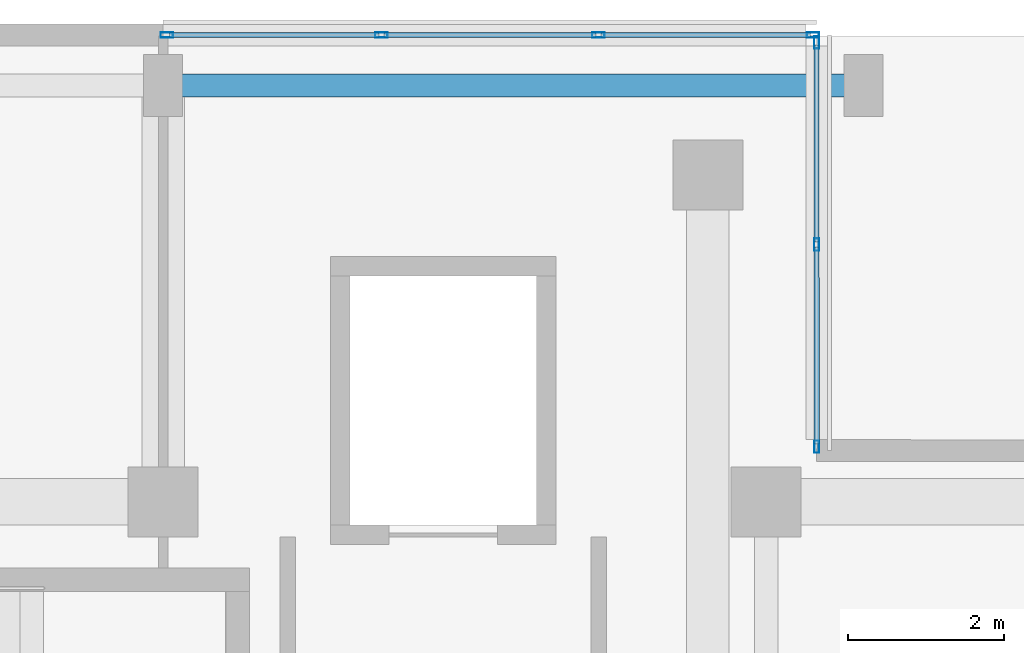
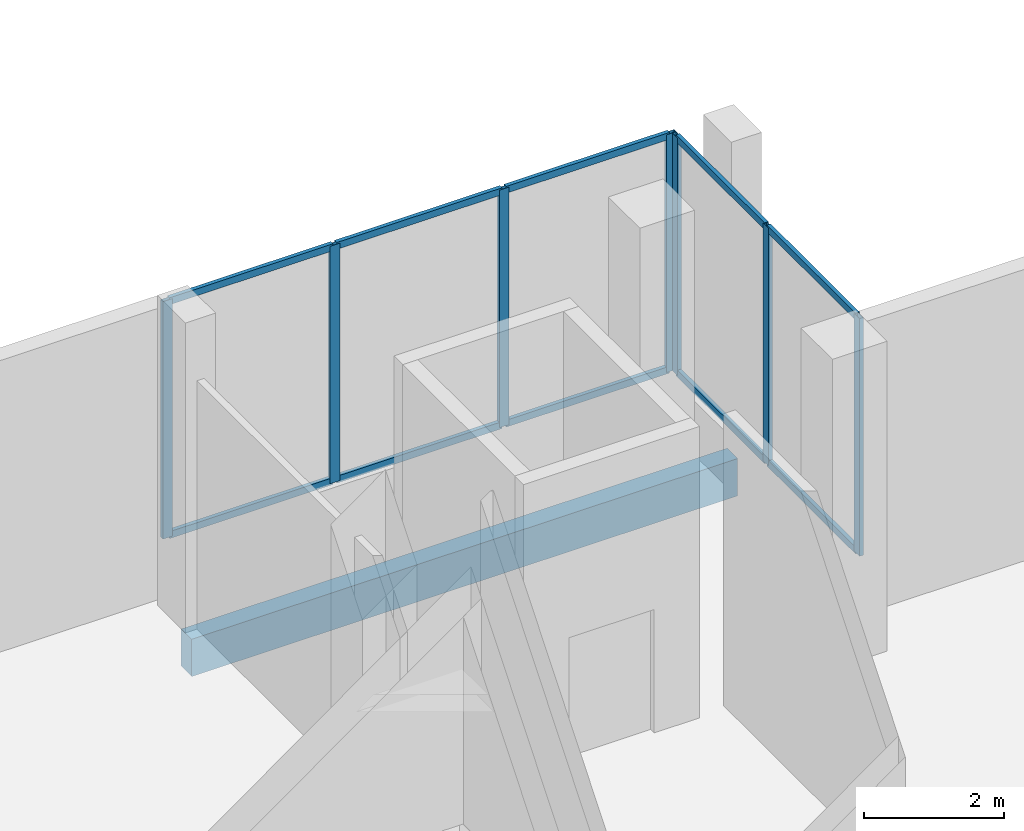
# One storey, part 114 of 158: 17 members, 1 beam, 2 elements without a shape of their own.
"""IFC4 building model written with IfcOpenShell, lengths in metres."""

from ifc_helpers import new_model, si_unit, direction, frame, origin, origin_2d, place, context, subcontext, project, spatial, rectangle, hollow_rectangle, extrude, material, material_profile, profile_set, type_object, element, aggregate, save


model = new_model("IFC4")

# Units and contexts
model_context = context("Model", 3, precision=1e-05, world=origin(), true_north=direction((0.0, 1.0)))
body_context = subcontext(model_context, "Body", "Model", "MODEL_VIEW")
ifc_project = project(units=[si_unit("LENGTHUNIT", "METRE"), si_unit("AREAUNIT", "SQUARE_METRE"), si_unit("VOLUMEUNIT", "CUBIC_METRE"), si_unit("PLANEANGLEUNIT", "RADIAN"), si_unit("MASSUNIT", "GRAM", prefix="KILO")], contexts=[model_context])

# Site, building, storey
site_placement = place(None, origin())
site = spatial("IfcSite", under=ifc_project, at=site_placement, CompositionType="ELEMENT")
building_placement = place(site_placement, origin())
building = spatial("IfcBuilding", under=site, at=building_placement, Name="Selatvlak General Hospital", CompositionType="ELEMENT")
storey_placement = place(building_placement, origin())
storey = spatial("IfcBuildingStorey", under=building, at=storey_placement, Name="L00", CompositionType="ELEMENT", Elevation=0.0)

# Beam
ifc_material_1 = material(Name="Concrete C40/50", Category="concrete")
ifc_material_profile_1 = material_profile(ifc_material_1, rectangle(XDim=0.300048828125, YDim=0.64990234375, at=origin_2d()), Name="RC-SP 300x650")
ifc_profile_set_1 = profile_set([ifc_material_profile_1], Name="Concrete C40/50")
beam_type = type_object("IfcBeamType", Name="BM-SP1", PredefinedType="SPANDREL", material=ifc_profile_set_1)
beam_placement = place(storey_placement, frame((140.39990234375, 119.35009765625, -0.675048828125), z_axis=(1.0, 0.0, 0.0), x_axis=(0.0, 1.0, 0.0)))
element("IfcBeam", 1, at=beam_placement, inside=storey, type_object=beam_type, Name="Beam BMR-L00-0157", PredefinedType="SPANDREL", context=body_context, shape_type="SweptSolid", body=[
    extrude(rectangle(XDim=0.300048828125, YDim=0.64990234375, at=origin_2d()), origin(), (0.0, 0.0, 1.0), 9.0),
])

# Curtain wall, members
ifc_material_2 = material(Name="Solar-control Low-E double glazing", Category="glass")
curtain_wall_type_1 = type_object("IfcCurtainWallType", Name="CW-CW-01", PredefinedType="USERDEFINED", material=ifc_material_2)
curtain_wall_1_placement = place(storey_placement, origin())
curtain_wall_1 = element("IfcCurtainWall", 2, at=curtain_wall_1_placement, inside=storey, type_object=curtain_wall_type_1, Name="Glazed facade curtain wall CW-L00-0010", ObjectType="UNITISED CURTAIN WALL", PredefinedType="USERDEFINED")
ifc_material_3 = material(Name="Dark anodised aluminium mullion", Category="aluminium")
ifc_material_profile_2 = material_profile(ifc_material_3, hollow_rectangle(XDim=0.06494140625, YDim=0.159912109375, WallThickness=0.00390625, at=origin_2d()), Name="AL-MUL 65x160x4")
ifc_profile_set_2 = profile_set([ifc_material_profile_2], Name="Dark anodised aluminium mullion")
member_type_1 = type_object("IfcMemberType", Name="CWM-01", PredefinedType="MULLION", material=ifc_profile_set_2)
member_1_placement = place(storey_placement, frame((140.446533203125, 120.0, 0.93994140625), z_axis=(0.0, 0.0, 1.0), x_axis=(0.0, 1.0, 0.0)))
member_1 = element("IfcMember", 3, at=member_1_placement, type_object=member_type_1, Name="CW-01 mullion 1", PredefinedType="MULLION", context=body_context, shape_type="SweptSolid", body=[
    extrude(hollow_rectangle(XDim=0.06494140625, YDim=0.159912109375, WallThickness=0.00390625, at=origin_2d()), origin(), (0.0, 0.0, 1.0), 4.14013671875),
])
member_2_placement = place(storey_placement, frame((143.2041015625, 120.0, 0.93994140625), z_axis=(0.0, 0.0, 1.0), x_axis=(0.0, 1.0, 0.0)))
member_2 = element("IfcMember", 4, at=member_2_placement, type_object=member_type_1, Name="CW-01 mullion 2", PredefinedType="MULLION", context=body_context, shape_type="SweptSolid", body=[
    extrude(hollow_rectangle(XDim=0.06494140625, YDim=0.159912109375, WallThickness=0.00390625, at=origin_2d()), origin(), (0.0, 0.0, 1.0), 4.14013671875),
])
member_3_placement = place(storey_placement, frame((145.993896484375, 120.0, 0.93994140625), z_axis=(0.0, 0.0, 1.0), x_axis=(0.0, 1.0, 0.0)))
member_3 = element("IfcMember", 5, at=member_3_placement, type_object=member_type_1, Name="CW-01 mullion 3", PredefinedType="MULLION", context=body_context, shape_type="SweptSolid", body=[
    extrude(hollow_rectangle(XDim=0.06494140625, YDim=0.159912109375, WallThickness=0.00390625, at=origin_2d()), origin(), (0.0, 0.0, 1.0), 4.14013671875),
])
member_4_placement = place(storey_placement, frame((148.75146484375, 120.0, 0.93994140625), z_axis=(0.0, 0.0, 1.0), x_axis=(0.0, 1.0, 0.0)))
member_4 = element("IfcMember", 6, at=member_4_placement, type_object=member_type_1, Name="CW-01 mullion 4", PredefinedType="MULLION", context=body_context, shape_type="SweptSolid", body=[
    extrude(hollow_rectangle(XDim=0.06494140625, YDim=0.159912109375, WallThickness=0.00390625, at=origin_2d()), origin(), (0.0, 0.0, 1.0), 4.14013671875),
])

curtain_wall_type_2 = type_object("IfcCurtainWallType", Name="CW-CW-02", PredefinedType="USERDEFINED", material=ifc_material_2)
curtain_wall_2_placement = place(storey_placement, origin())
curtain_wall_2 = element("IfcCurtainWall", 7, at=curtain_wall_2_placement, inside=storey, type_object=curtain_wall_type_2, Name="Glazed facade curtain wall CW-L00-0011", ObjectType="UNITISED CURTAIN WALL", PredefinedType="USERDEFINED")
member_5_placement = place(storey_placement, frame((148.799072265625, 119.902587890625, 0.93994140625), z_axis=(0.0, 0.0, 1.0), x_axis=(0.999999981928, 0.000190114072, 0.0)))
member_5 = element("IfcMember", 8, at=member_5_placement, type_object=member_type_1, Name="CW-02 mullion 1", PredefinedType="MULLION", context=body_context, shape_type="SweptSolid", body=[
    extrude(hollow_rectangle(XDim=0.06494140625, YDim=0.159912109375, WallThickness=0.00390625, at=origin_2d()), origin(), (0.0, 0.0, 1.0), 4.14013671875),
])
member_6_placement = place(storey_placement, frame((148.799560546875, 117.304931640625, 0.93994140625), z_axis=(0.0, 0.0, 1.0), x_axis=(0.999999981928, 0.000190114072, 0.0)))
member_6 = element("IfcMember", 9, at=member_6_placement, type_object=member_type_1, Name="CW-02 mullion 2", PredefinedType="MULLION", context=body_context, shape_type="SweptSolid", body=[
    extrude(hollow_rectangle(XDim=0.06494140625, YDim=0.159912109375, WallThickness=0.00390625, at=origin_2d()), origin(), (0.0, 0.0, 1.0), 4.14013671875),
])
member_7_placement = place(storey_placement, frame((148.800048828125, 114.70751953125, 0.93994140625), z_axis=(0.0, 0.0, 1.0), x_axis=(0.999999981928, 0.000190114072, 0.0)))
member_7 = element("IfcMember", 10, at=member_7_placement, type_object=member_type_1, Name="CW-02 mullion 3", PredefinedType="MULLION", context=body_context, shape_type="SweptSolid", body=[
    extrude(hollow_rectangle(XDim=0.06494140625, YDim=0.159912109375, WallThickness=0.00390625, at=origin_2d()), origin(), (0.0, 0.0, 1.0), 4.14013671875),
])

# Member
ifc_material_profile_3 = material_profile(ifc_material_3, hollow_rectangle(XDim=0.06494140625, YDim=0.1201171875, WallThickness=0.00390625, at=origin_2d()), Name="AL-TRN 65x120x4")
ifc_profile_set_3 = profile_set([ifc_material_profile_3], Name="Dark anodised aluminium mullion")
member_type_2 = type_object("IfcMemberType", Name="CWT-01", PredefinedType="USERDEFINED", material=ifc_profile_set_3)
member_8_placement = place(storey_placement, frame((140.47900390625, 120.0, 0.972412109375), z_axis=(1.0, 0.0, 0.0), x_axis=(0.0, 1.0, 0.0)))
member_8 = element("IfcMember", 11, at=member_8_placement, type_object=member_type_2, Name="CW-01 transom 1.1", ObjectType="TRANSOM", PredefinedType="USERDEFINED", context=body_context, shape_type="SweptSolid", body=[
    extrude(hollow_rectangle(XDim=0.06494140625, YDim=0.1201171875, WallThickness=0.00390625, at=origin_2d()), origin(), (0.0, 0.0, 1.0), 2.6923828125),
])

member_9_placement = place(storey_placement, frame((140.47900390625, 120.0, 5.047607421875), z_axis=(1.0, 0.0, 0.0), x_axis=(0.0, 1.0, 0.0)))
member_9 = element("IfcMember", 12, at=member_9_placement, type_object=member_type_2, Name="CW-01 transom 1.2", ObjectType="TRANSOM", PredefinedType="USERDEFINED", context=body_context, shape_type="SweptSolid", body=[
    extrude(hollow_rectangle(XDim=0.06494140625, YDim=0.1201171875, WallThickness=0.00390625, at=origin_2d()), origin(), (0.0, 0.0, 1.0), 2.6923828125),
])

member_10_placement = place(storey_placement, frame((143.236572265625, 120.0, 0.972412109375), z_axis=(1.0, 0.0, 0.0), x_axis=(0.0, 1.0, 0.0)))
member_10 = element("IfcMember", 13, at=member_10_placement, type_object=member_type_2, Name="CW-01 transom 2.1", ObjectType="TRANSOM", PredefinedType="USERDEFINED", context=body_context, shape_type="SweptSolid", body=[
    extrude(hollow_rectangle(XDim=0.06494140625, YDim=0.1201171875, WallThickness=0.00390625, at=origin_2d()), origin(), (0.0, 0.0, 1.0), 2.724853515625),
])

member_11_placement = place(storey_placement, frame((143.236572265625, 120.0, 5.047607421875), z_axis=(1.0, 0.0, 0.0), x_axis=(0.0, 1.0, 0.0)))
member_11 = element("IfcMember", 14, at=member_11_placement, type_object=member_type_2, Name="CW-01 transom 2.2", ObjectType="TRANSOM", PredefinedType="USERDEFINED", context=body_context, shape_type="SweptSolid", body=[
    extrude(hollow_rectangle(XDim=0.06494140625, YDim=0.1201171875, WallThickness=0.00390625, at=origin_2d()), origin(), (0.0, 0.0, 1.0), 2.724853515625),
])

member_12_placement = place(storey_placement, frame((146.026611328125, 120.0, 0.972412109375), z_axis=(1.0, 0.0, 0.0), x_axis=(0.0, 1.0, 0.0)))
member_12 = element("IfcMember", 15, at=member_12_placement, type_object=member_type_2, Name="CW-01 transom 3.1", ObjectType="TRANSOM", PredefinedType="USERDEFINED", context=body_context, shape_type="SweptSolid", body=[
    extrude(hollow_rectangle(XDim=0.06494140625, YDim=0.1201171875, WallThickness=0.00390625, at=origin_2d()), origin(), (0.0, 0.0, 1.0), 2.6923828125),
])

member_13_placement = place(storey_placement, frame((146.026611328125, 120.0, 5.047607421875), z_axis=(1.0, 0.0, 0.0), x_axis=(0.0, 1.0, 0.0)))
member_13 = element("IfcMember", 16, at=member_13_placement, type_object=member_type_2, Name="CW-01 transom 3.2", ObjectType="TRANSOM", PredefinedType="USERDEFINED", context=body_context, shape_type="SweptSolid", body=[
    extrude(hollow_rectangle(XDim=0.06494140625, YDim=0.1201171875, WallThickness=0.00390625, at=origin_2d()), origin(), (0.0, 0.0, 1.0), 2.6923828125),
])

aggregate(curtain_wall_1, [member_1, member_2, member_3, member_4, member_8, member_9, member_10, member_11, member_12, member_13])

member_14_placement = place(storey_placement, frame((148.799072265625, 119.8701171875, 0.972412109375), z_axis=(0.000192789663, -0.999999981416, 0.0), x_axis=(0.999999981416, 0.000192789663, 0.0)))
member_14 = element("IfcMember", 17, at=member_14_placement, type_object=member_type_2, Name="CW-02 transom 1.1", ObjectType="TRANSOM", PredefinedType="USERDEFINED", context=body_context, shape_type="SweptSolid", body=[
    extrude(hollow_rectangle(XDim=0.06494140625, YDim=0.1201171875, WallThickness=0.00390625, at=origin_2d()), origin(), (0.0, 0.0, 1.0), 2.53271484375),
])

member_15_placement = place(storey_placement, frame((148.799072265625, 119.8701171875, 5.047607421875), z_axis=(0.000192789663, -0.999999981416, 0.0), x_axis=(0.999999981416, 0.000192789663, 0.0)))
member_15 = element("IfcMember", 18, at=member_15_placement, type_object=member_type_2, Name="CW-02 transom 1.2", ObjectType="TRANSOM", PredefinedType="USERDEFINED", context=body_context, shape_type="SweptSolid", body=[
    extrude(hollow_rectangle(XDim=0.06494140625, YDim=0.1201171875, WallThickness=0.00390625, at=origin_2d()), origin(), (0.0, 0.0, 1.0), 2.53271484375),
])

member_16_placement = place(storey_placement, frame((148.799560546875, 117.2724609375, 0.972412109375), z_axis=(0.000192808249, -0.999999981412, 0.0), x_axis=(0.999999981412, 0.000192808249, 0.0)))
member_16 = element("IfcMember", 19, at=member_16_placement, type_object=member_type_2, Name="CW-02 transom 2.1", ObjectType="TRANSOM", PredefinedType="USERDEFINED", context=body_context, shape_type="SweptSolid", body=[
    extrude(hollow_rectangle(XDim=0.06494140625, YDim=0.1201171875, WallThickness=0.00390625, at=origin_2d()), origin(), (0.0, 0.0, 1.0), 2.532470703125),
])

member_17_placement = place(storey_placement, frame((148.799560546875, 117.2724609375, 5.047607421875), z_axis=(0.000192808249, -0.999999981412, 0.0), x_axis=(0.999999981412, 0.000192808249, 0.0)))
member_17 = element("IfcMember", 20, at=member_17_placement, type_object=member_type_2, Name="CW-02 transom 2.2", ObjectType="TRANSOM", PredefinedType="USERDEFINED", context=body_context, shape_type="SweptSolid", body=[
    extrude(hollow_rectangle(XDim=0.06494140625, YDim=0.1201171875, WallThickness=0.00390625, at=origin_2d()), origin(), (0.0, 0.0, 1.0), 2.532470703125),
])

aggregate(curtain_wall_2, [member_5, member_6, member_7, member_14, member_15, member_16, member_17])

save(model, "model.ifc")
